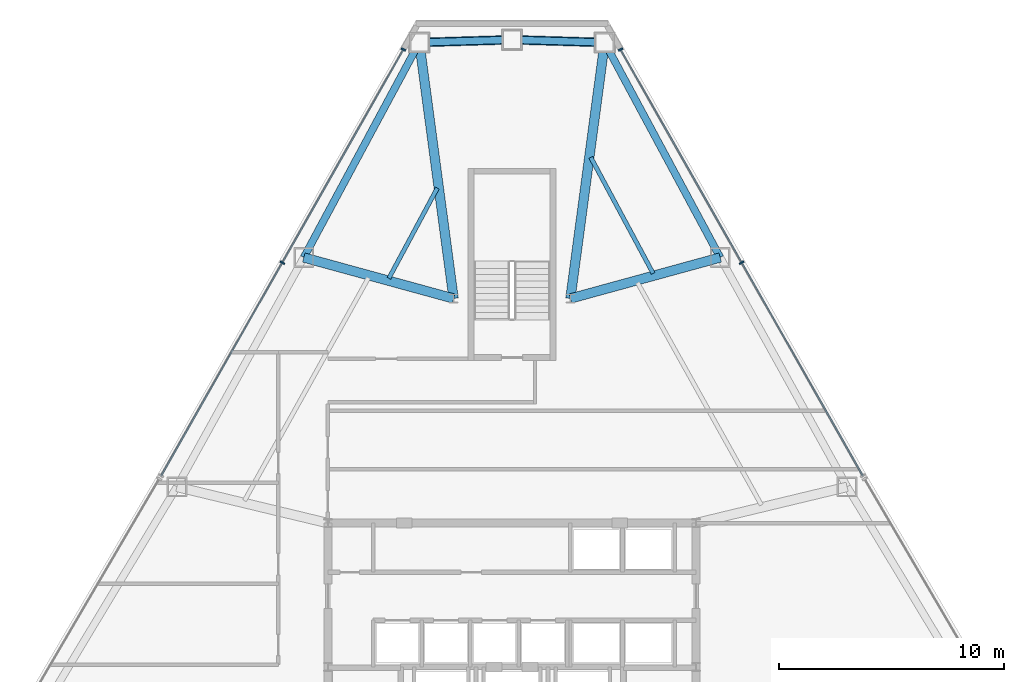
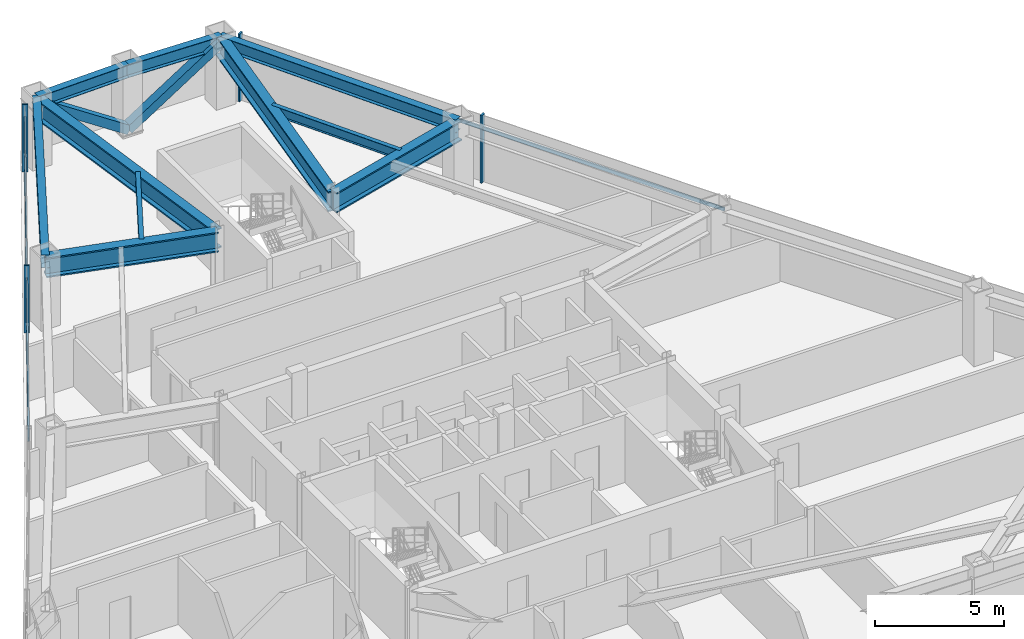
# One storey, part 7 of 12: 10 beams, 8 members, 2 elements without a shape of their own.
"""IFC4 building model written with IfcOpenShell, lengths in metres."""

from ifc_helpers import new_model, si_unit, direction, frame, origin, origin_2d, place, context, subcontext, project, spatial, rectangle, hollow_rectangle, i_section, extrude, source, transform, mapped, material, layer, layer_set, material_profile, profile_set, type_object, type_shapes, element, aggregate, save


model = new_model("IFC4")

# Units and contexts
model_context = context("Model", 3, precision=1e-05, world=origin(), true_north=direction((0.0, 1.0)))
body_context = subcontext(model_context, "Body", "Model", "MODEL_VIEW")
ifc_project = project(units=[si_unit("LENGTHUNIT", "METRE"), si_unit("AREAUNIT", "SQUARE_METRE"), si_unit("VOLUMEUNIT", "CUBIC_METRE"), si_unit("PLANEANGLEUNIT", "RADIAN"), si_unit("MASSUNIT", "GRAM", prefix="KILO")], contexts=[model_context])

# Site, building, storey
site_placement = place(None, origin())
site = spatial("IfcSite", under=ifc_project, at=site_placement, CompositionType="ELEMENT")
building_placement = place(site_placement, origin())
building = spatial("IfcBuilding", under=site, at=building_placement, Name="Varakhsha Concourse Tower", CompositionType="ELEMENT")
storey_placement = place(building_placement, frame((0.0, 0.0, 129.800048828125)))
storey = spatial("IfcBuildingStorey", under=building, at=storey_placement, Name="L37", CompositionType="ELEMENT", Elevation=129.800048828125)

# Beams
ifc_material_1 = material(Name="Structural Steel ASTM A992 Grade 50", Category="steel")
ifc_material_profile_1 = material_profile(ifc_material_1, i_section(OverallWidth=0.19091796875, OverallDepth=0.45703125, WebThickness=0.009033203125, FlangeThickness=0.013916015625, at=origin_2d()), Name="W18X50")
ifc_profile_set_1 = profile_set([ifc_material_profile_1], Name="Structural Steel ASTM A992 Grade 50")
beam_type_1 = type_object("IfcBeamType", Name="BM-JST-W18X50", PredefinedType="JOIST", material=ifc_profile_set_1)
beam_1_placement = place(storey_placement, frame((36.676513671875, 46.119140625, 2.9814453125), z_axis=(-0.473308162686, -0.880896919699, 0.0), x_axis=(0.880896919699, -0.473308162686, 0.0)))
element("IfcBeam", 1, at=beam_1_placement, inside=storey, type_object=beam_type_1, Name="BM-TJST-L37-03", PredefinedType="JOIST", context=body_context, shape_type="SweptSolid", body=[
    extrude(i_section(OverallWidth=0.19091796875, OverallDepth=0.45703125, WebThickness=0.009033203125, FlangeThickness=0.013916015625, at=origin_2d()), origin(), (0.0, 0.0, 1.0), 4.56201171875),
])
beam_2_placement = place(storey_placement, frame((46.282958984375, 42.319580078125, 2.9814453125), z_axis=(-0.473273184067, 0.880915712905, 0.0), x_axis=(-0.880915712905, -0.473273184067, 0.0)))
element("IfcBeam", 2, at=beam_2_placement, inside=storey, type_object=beam_type_1, Name="BM-TJST-L37-18", PredefinedType="JOIST", context=body_context, shape_type="SweptSolid", body=[
    extrude(i_section(OverallWidth=0.19091796875, OverallDepth=0.45703125, WebThickness=0.009033203125, FlangeThickness=0.013916015625, at=origin_2d()), origin(), (0.0, 0.0, 1.0), 5.8662109375),
])
ifc_material_profile_2 = material_profile(ifc_material_1, i_section(OverallWidth=0.423095703125, OverallDepth=0.947998046875, WebThickness=0.0380859375, FlangeThickness=0.06396484375, at=origin_2d()), Name="W36X302")
ifc_profile_set_2 = profile_set([ifc_material_profile_2], Name="Structural Steel ASTM A992 Grade 50")
beam_type_2 = type_object("IfcBeamType", Name="BM-OUTR-W36X302", PredefinedType="USERDEFINED", material=ifc_profile_set_2)
for number, where, z_axis, x_axis, name in (
    (3, (42.60009765625, 41.199951171875, 2.73583984375), (0.132664235553, 0.991161036666, 0.0), (-0.991161036666, 0.132664235553, 0.0), "L37 Radial Floor Girder 01"),
    (4, (37.39990234375, 41.199951171875, 2.73583984375), (-0.132664235553, 0.991161036666, 0.0), (-0.991161036666, -0.132664235553, 0.0), "L37 Radial Floor Girder 03"),
):
    element("IfcBeam", number, at=place(storey_placement, frame(where, z_axis=z_axis, x_axis=x_axis)), inside=storey, type_object=beam_type_2, Name=name, ObjectType="GIRDER", PredefinedType="USERDEFINED", context=body_context, shape_type="SweptSolid", body=[
        extrude(i_section(OverallWidth=0.423095703125, OverallDepth=0.947998046875, WebThickness=0.0380859375, FlangeThickness=0.06396484375, at=origin_2d()), origin(), (0.0, 0.0, 1.0), 11.501708984375),
    ])
for number, where, z_axis, x_axis, name in (
    (5, (37.39990234375, 41.199951171875, 2.73583984375), (-0.964488724062, 0.264124026089, 0.0), (-0.264124026089, -0.964488724062, 0.0), "L37 Radial Floor Girder 04"),
    (6, (42.60009765625, 41.199951171875, 2.73583984375), (0.964488724062, 0.264124026089, 0.0), (-0.264124026089, 0.964488724062, 0.0), "L37 Radial Floor Girder 18"),
):
    element("IfcBeam", number, at=place(storey_placement, frame(where, z_axis=z_axis, x_axis=x_axis)), inside=storey, type_object=beam_type_2, Name=name, ObjectType="GIRDER", PredefinedType="USERDEFINED", context=body_context, shape_type="SweptSolid", body=[
        extrude(i_section(OverallWidth=0.423095703125, OverallDepth=0.947998046875, WebThickness=0.0380859375, FlangeThickness=0.06396484375, at=origin_2d()), origin(), (0.0, 0.0, 1.0), 6.9150390625),
    ])
ifc_material_profile_3 = material_profile(ifc_material_1, i_section(OverallWidth=0.323974609375, OverallDepth=0.611083984375, WebThickness=0.012939453125, FlangeThickness=0.01904296875, at=origin_2d()), Name="W24X104")
ifc_profile_set_3 = profile_set([ifc_material_profile_3], Name="Structural Steel ASTM A992 Grade 50")
beam_type_3 = type_object("IfcBeamType", Name="BM-SPAN-W24X104", PredefinedType="SPANDREL", material=ifc_profile_set_3)
for number, where, z_axis, x_axis, name in (
    (7, (44.1259765625, 52.60009765625, 2.904541015625), (-0.999566117075, 0.029454670195, 0.0), (-0.029454670195, -0.999566117075, 0.0), "BM-SPAN-L37-01"),
    (8, (40.0, 52.7216796875, 2.904541015625), (-0.999566117075, -0.029454670195, 0.0), (0.029454670195, -0.999566117075, 0.0), "BM-SPAN-L37-02"),
):
    element("IfcBeam", number, at=place(storey_placement, frame(where, z_axis=z_axis, x_axis=x_axis)), inside=storey, type_object=beam_type_3, Name=name, PredefinedType="SPANDREL", context=body_context, shape_type="SweptSolid", body=[
        extrude(i_section(OverallWidth=0.323974609375, OverallDepth=0.611083984375, WebThickness=0.012939453125, FlangeThickness=0.01904296875, at=origin_2d()), origin(), (0.0, 0.0, 1.0), 4.127685546875),
    ])
for number, where, z_axis, x_axis, name in (
    (9, (35.8740234375, 52.60009765625, 2.904541015625), (-0.473277094383, -0.880913612071, 0.0), (0.880913612071, -0.473277094383, 0.0), "BM-SPAN-L37-03"),
    (10, (49.26953125, 43.0263671875, 2.904541015625), (-0.473277094383, 0.880913612071, 0.0), (-0.880913612071, -0.473277094383, 0.0), "BM-SPAN-L37-18"),
):
    element("IfcBeam", number, at=place(storey_placement, frame(where, z_axis=z_axis, x_axis=x_axis)), inside=storey, type_object=beam_type_3, Name=name, PredefinedType="SPANDREL", context=body_context, shape_type="SweptSolid", body=[
        extrude(i_section(OverallWidth=0.323974609375, OverallDepth=0.611083984375, WebThickness=0.012939453125, FlangeThickness=0.01904296875, at=origin_2d()), origin(), (0.0, 0.0, 1.0), 10.867919921875),
    ])

# Members
ifc_material_2 = material(Name="Structural Steel ASTM A500 Grade C", Category="steel")
ifc_material_profile_4 = material_profile(ifc_material_2, hollow_rectangle(XDim=0.39990234375, YDim=0.39990234375, WallThickness=0.01611328125, at=origin_2d()), Name="HSS 400x400x16")
ifc_profile_set_4 = profile_set([ifc_material_profile_4], Name="Structural Steel ASTM A500 Grade C")
member_type_1 = type_object("IfcMemberType", Name="MB-TUBE-HSS400", PredefinedType="BRACE", material=ifc_profile_set_4)
shared_shape_1 = source(origin(), body_context, "Body", "SweptSolid", [
    extrude(hollow_rectangle(XDim=0.39990234375, YDim=0.39990234375, WallThickness=0.01611328125, at=origin_2d()), origin(), (0.0, 0.0, 1.0), 4.982177734375),
])
type_shapes(member_type_1, [shared_shape_1])
for number, where, z_axis, x_axis, name in (
    (11, (40.0, 52.7216796875, 0.119873046875), (0.828135731354, -0.024403052912, 0.559996162007), (0.029454670195, 0.999566117075, 0.0), "L37 Wind-Corner Tube Brace B01"),
    (12, (40.0, 52.7216796875, 0.119873046875), (-0.828135731354, -0.024403052912, 0.559996162007), (0.029454670195, -0.999566117075, 0.0), "L37 Wind-Corner Tube Brace B02"),
):
    element("IfcMember", number, at=place(storey_placement, frame(where, z_axis=z_axis, x_axis=x_axis)), inside=storey, type_object=member_type_1, Name=name, PredefinedType="BRACE", context=body_context, shape_type="MappedRepresentation", body=[
        mapped(shared_shape_1, transform((0.0, 0.0, 0.0), scale=1.0)),
    ])

# Curtain wall, members
ifc_material_3 = material(Name="Anodised Bronze Architectural Aluminium AA 6063-T6", Category="aluminium")
ifc_layer = layer(ifc_material_3, 0.2099609375, Name="CW-SYS-04")
ifc_layer_set = layer_set([ifc_layer], Name="Anodised Bronze Architectural Aluminium AA 6063-T6")
curtain_wall_type = type_object("IfcCurtainWallType", Name="CW-SYS-04", PredefinedType="NOTDEFINED", material=ifc_layer_set)
curtain_wall_1_placement = place(storey_placement, origin())
curtain_wall_1 = element("IfcCurtainWall", 13, at=curtain_wall_1_placement, inside=storey, type_object=curtain_wall_type, Name="L37 Crystal Curtain Wall F2", PredefinedType="NOTDEFINED")
ifc_material_profile_5 = material_profile(ifc_material_3, rectangle(XDim=0.074951171875, YDim=0.219970703125, at=origin_2d()), Name="CWM-220X75")
ifc_profile_set_5 = profile_set([ifc_material_profile_5], Name="Anodised Bronze Architectural Aluminium AA 6063-T6")
member_type_2 = type_object("IfcMemberType", Name="CWM-220X75", PredefinedType="MULLION", material=ifc_profile_set_5)
shared_shape_2 = source(origin(), body_context, "Body", "SweptSolid", [
    extrude(rectangle(XDim=0.074951171875, YDim=0.219970703125, at=origin_2d()), origin(), (0.0, 0.0, 1.0), 3.2099609375),
])
type_shapes(member_type_2, [shared_shape_2])
member_1_placement = place(storey_placement, frame((29.7734375, 42.7998046875, 0.0), z_axis=(0.0, 0.0, 1.0), x_axis=(0.494114858069, 0.8693966339, 0.0)))
member_1 = element("IfcMember", 14, at=member_1_placement, type_object=member_type_2, Name="CW-L37-F2 Mullion 01", PredefinedType="MULLION", context=body_context, shape_type="MappedRepresentation", body=[
    mapped(shared_shape_2, transform((0.0, 0.0, 0.0), scale=1.0)),
])
member_2_placement = place(storey_placement, frame((35.166015625, 52.2880859375, 0.0), z_axis=(0.0, 0.0, 1.0), x_axis=(0.494114858069, 0.8693966339, 0.0)))
member_2 = element("IfcMember", 15, at=member_2_placement, type_object=member_type_2, Name="CW-L37-F2 Mullion 02", PredefinedType="MULLION", context=body_context, shape_type="MappedRepresentation", body=[
    mapped(shared_shape_2, transform((0.0, 0.0, 0.0), scale=1.0)),
])

curtain_wall_2_placement = place(storey_placement, origin())
curtain_wall_2 = element("IfcCurtainWall", 16, at=curtain_wall_2_placement, inside=storey, type_object=curtain_wall_type, Name="L37 Crystal Curtain Wall F9", PredefinedType="NOTDEFINED")
member_3_placement = place(storey_placement, frame((44.833984375, 52.2880859375, 0.0), z_axis=(0.0, 0.0, 1.0), x_axis=(0.494114858069, -0.8693966339, 0.0)))
member_3 = element("IfcMember", 17, at=member_3_placement, type_object=member_type_2, Name="CW-L37-F9 Mullion 00", PredefinedType="MULLION", context=body_context, shape_type="MappedRepresentation", body=[
    mapped(shared_shape_2, transform((0.0, 0.0, 0.0), scale=1.0)),
])
member_4_placement = place(storey_placement, frame((50.2265625, 42.7998046875, 0.0), z_axis=(0.0, 0.0, 1.0), x_axis=(0.494114858069, -0.8693966339, 0.0)))
member_4 = element("IfcMember", 18, at=member_4_placement, type_object=member_type_2, Name="CW-L37-F9 Mullion 01", PredefinedType="MULLION", context=body_context, shape_type="MappedRepresentation", body=[
    mapped(shared_shape_2, transform((0.0, 0.0, 0.0), scale=1.0)),
])

# Member
ifc_material_profile_6 = material_profile(ifc_material_3, rectangle(XDim=0.06494140625, YDim=0.159912109375, at=origin_2d()), Name="CWT-160X65")
ifc_profile_set_6 = profile_set([ifc_material_profile_6], Name="Anodised Bronze Architectural Aluminium AA 6063-T6")
member_type_3 = type_object("IfcMemberType", Name="CWT-160X65", PredefinedType="USERDEFINED", material=ifc_profile_set_6)
shared_shape_3 = source(origin(), body_context, "Body", "SweptSolid", [
    extrude(rectangle(XDim=0.06494140625, YDim=0.159912109375, at=origin_2d()), origin(), (0.0, 0.0, 1.0), 21.827392578125),
])
type_shapes(member_type_3, [shared_shape_3])
member_5_placement = place(storey_placement, frame((24.380859375, 33.311279296875, 2.56005859375), z_axis=(0.494109139213, 0.869399884142, 0.0), x_axis=(-0.869399884142, 0.494109139213, 0.0)))
member_5 = element("IfcMember", 19, at=member_5_placement, type_object=member_type_3, Name="CW-L37-F2 Transom 01", ObjectType="TRANSOM", PredefinedType="USERDEFINED", context=body_context, shape_type="MappedRepresentation", body=[
    mapped(shared_shape_3, transform((0.0, 0.0, 0.0), scale=1.0)),
])

aggregate(curtain_wall_1, [member_1, member_2, member_5])

member_6_placement = place(storey_placement, frame((44.833984375, 52.2880859375, 2.56005859375), z_axis=(0.494109139213, -0.869399884142, 0.0), x_axis=(0.869399884142, 0.494109139213, 0.0)))
member_6 = element("IfcMember", 20, at=member_6_placement, type_object=member_type_3, Name="CW-L37-F9 Transom 01", ObjectType="TRANSOM", PredefinedType="USERDEFINED", context=body_context, shape_type="MappedRepresentation", body=[
    mapped(shared_shape_3, transform((0.0, 0.0, 0.0), scale=1.0)),
])

aggregate(curtain_wall_2, [member_3, member_4, member_6])

save(model, "model.ifc")
